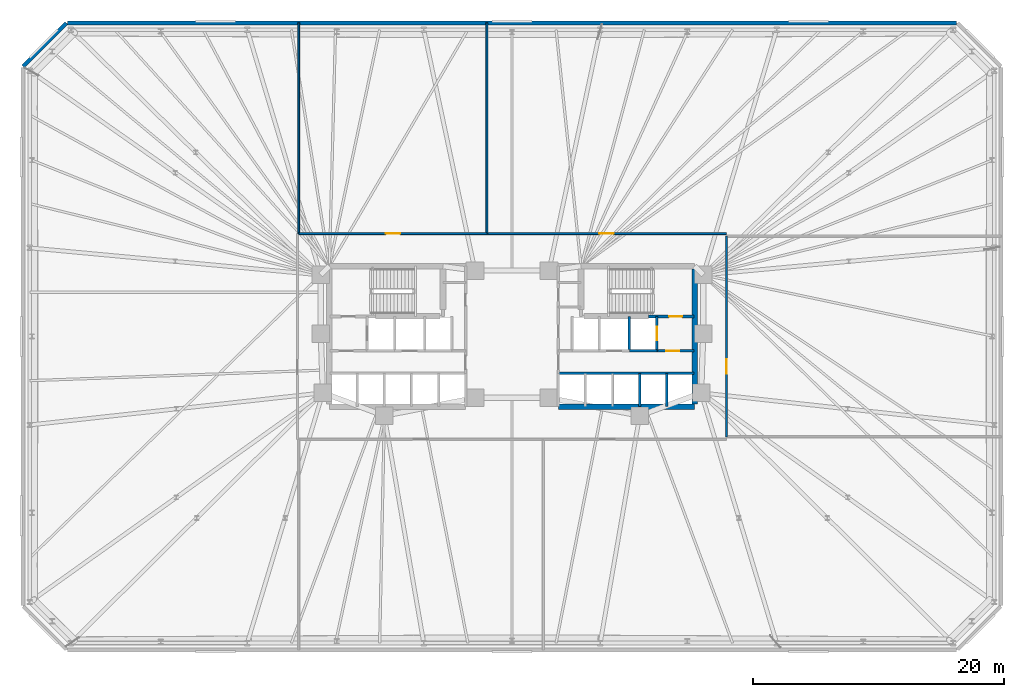
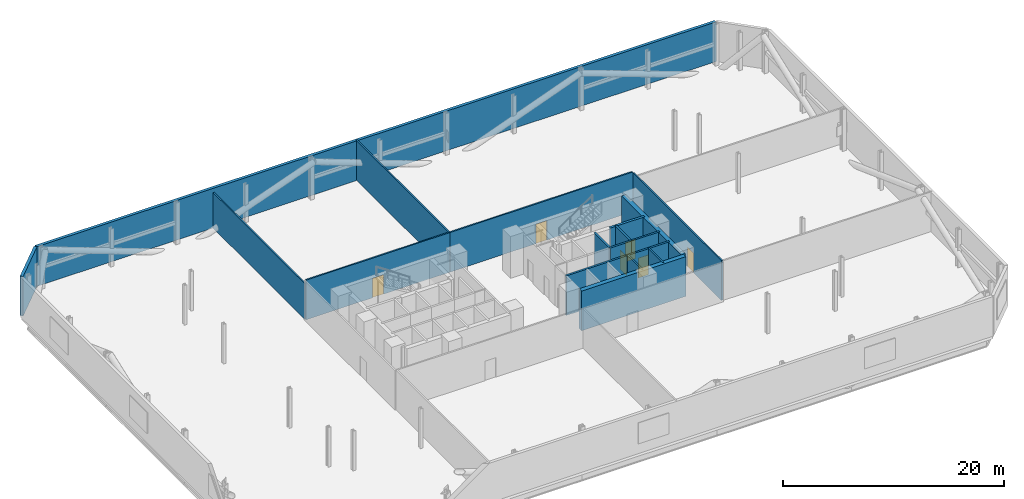
# One storey, part 15 of 17: 17 walls, 6 doors, 6 openings.
"""IFC4 building model written with IfcOpenShell, lengths in metres."""

from ifc_helpers import new_model, si_unit, direction, frame, frame_2d, origin, place, context, subcontext, project, spatial, rectangle, extrude, material, layer, layer_set, type_object, element, fill, save


model = new_model("IFC4")

# Units and contexts
model_context = context("Model", 3, precision=1e-05, world=origin(), true_north=direction((0.0, 1.0)))
body_context = subcontext(model_context, "Body", "Model", "MODEL_VIEW")
ifc_project = project(units=[si_unit("LENGTHUNIT", "METRE"), si_unit("AREAUNIT", "SQUARE_METRE"), si_unit("VOLUMEUNIT", "CUBIC_METRE"), si_unit("PLANEANGLEUNIT", "RADIAN"), si_unit("MASSUNIT", "GRAM", prefix="KILO")], contexts=[model_context])

# Site, building, storey
site_placement = place(None, origin())
site = spatial("IfcSite", under=ifc_project, at=site_placement, CompositionType="ELEMENT")
building_placement = place(site_placement, origin())
building = spatial("IfcBuilding", under=site, at=building_placement, Name="Menara Jurai Vektor", CompositionType="ELEMENT")
storey_placement = place(building_placement, frame((0.0, 0.0, 9.60009765625)))
storey = spatial("IfcBuildingStorey", under=building, at=storey_placement, Name="L01", CompositionType="ELEMENT", Elevation=9.60009765625)

# Walls
ifc_material_1 = material(Name="Insulated Pale Aluminium Spandrel Wall", Category="aluminium")
ifc_layer_1 = layer(ifc_material_1, 0.300048828125)
ifc_layer_set_1 = layer_set([ifc_layer_1], Name="Insulated Pale Aluminium Spandrel Wall")
wall_type_1 = type_object("IfcWallType", Name="ENV-WALL-EXT300", PredefinedType="STANDARD", material=ifc_layer_set_1)
wall_1_placement = place(storey_placement, frame((35.455078125, 25.0, 0.0), z_axis=(0.0, 0.0, 1.0), x_axis=(-1.0, 0.0, 0.0)))
element("IfcWall", 1, at=wall_1_placement, inside=storey, type_object=wall_type_1, Name="Plant Floor Enclosure Wall L01-05", PredefinedType="STANDARD", context=body_context, shape_type="SweptSolid", body=[
    extrude(rectangle(XDim=70.91015625, YDim=0.300048828125, at=frame_2d((35.455078125, 0.0))), origin(), (0.0, 0.0, 1.0), 4.375),
])
wall_2_placement = place(storey_placement, frame((-35.53173828125, 24.96826171875, 0.0), z_axis=(0.0, 0.0, 1.0), x_axis=(-0.707106781187, -0.707106781187, 0.0)))
element("IfcWall", 2, at=wall_2_placement, inside=storey, type_object=wall_type_1, Name="Plant Floor Enclosure Wall L01-06", PredefinedType="STANDARD", context=body_context, shape_type="SweptSolid", body=[
    extrude(rectangle(XDim=4.85986328125, YDim=0.300048828125, at=frame_2d((2.429931640625, 0.0))), origin(), (0.0, 0.0, 1.0), 4.375),
])

# Wall, opening, door
ifc_material_2 = material(Name="Concrete C40/50", Category="concrete")
ifc_layer_2 = layer(ifc_material_2, 0.25)
ifc_layer_set_2 = layer_set([ifc_layer_2], Name="Concrete C40/50")
wall_type_2 = type_object("IfcWallType", Name="INT-WALL-CORE-250", PredefinedType="STANDARD", material=ifc_layer_set_2)
wall_3_placement = place(storey_placement, frame((10.89990234375, 1.60009765625, 0.0), z_axis=(0.0, 0.0, 1.0), x_axis=(1.0, 0.0, 0.0)))
wall_3 = element("IfcWall", 3, at=wall_3_placement, inside=storey, type_object=wall_type_2, Name="Interior Wall IW-250 L01", PredefinedType="STANDARD", context=body_context, shape_type="SweptSolid", body=[
    extrude(rectangle(XDim=3.60009765625, YDim=0.25, at=frame_2d((1.800048828125, 0.0))), origin(), (0.0, 0.0, 1.0), 4.375),
])
opening_1_placement = place(wall_3_placement, frame((1.6201171875, 0.0, 0.0)))
opening_1 = element("IfcOpeningElement", 4, at=opening_1_placement, cuts=wall_3, Name="Opening D-L01-ST2", PredefinedType="OPENING", context=body_context, shape_type="SweptSolid", body=[
    extrude(rectangle(XDim=1.050048828125, YDim=2.14990234375, at=frame_2d((0.52490234375, 1.074951171875))), frame((0.0, 0.135009765625, 0.0), z_axis=(0.0, -1.0, 0.0), x_axis=(1.0, 0.0, 0.0)), (0.0, 0.0, 1.0), 0.27001953125),
])
ifc_material_3 = material(Name="Fire-Rated Steel Door", Category="steel")
door_type_1 = type_object("IfcDoorType", Name="DR-STAIR-1050", OperationType="NOTDEFINED", PredefinedType="DOOR", material=ifc_material_3)
door_1_placement = place(opening_1_placement, origin())
door_1 = element("IfcDoor", 5, at=door_1_placement, inside=storey, type_object=door_type_1, Name="Exit Stair ST2 Door L01", OperationType="SINGLE_SWING_LEFT", OverallHeight=2.14990234375, OverallWidth=1.050048828125, PredefinedType="DOOR", context=body_context, shape_type="SweptSolid", body=[
    extrude(rectangle(XDim=1.050048828125, YDim=2.14990234375, at=frame_2d((0.52490234375, 1.074951171875))), frame((0.0, 0.02490234375, 0.0), z_axis=(0.0, -1.0, 0.0), x_axis=(1.0, 0.0, 0.0)), (0.0, 0.0, 1.0), 0.050048828125),
])
fill(opening_1, door_1)

wall_4_placement = place(storey_placement, frame((11.550048828125, -1.14990234375, 0.0), z_axis=(0.0, 0.0, 1.0), x_axis=(0.0, 1.0, 0.0)))
wall_4 = element("IfcWall", 6, at=wall_4_placement, inside=storey, type_object=wall_type_2, Name="Interior Wall IW-250 L01", PredefinedType="STANDARD", context=body_context, shape_type="SweptSolid", body=[
    extrude(rectangle(XDim=2.75, YDim=0.199951171875, at=frame_2d((1.375, 0.0))), origin(), (0.0, 0.0, 1.0), 4.375),
])
opening_2_placement = place(wall_4_placement, frame((0.824951171875, 0.0, 0.0)))
opening_2 = element("IfcOpeningElement", 7, at=opening_2_placement, cuts=wall_4, Name="Opening LD-L01-FL2", PredefinedType="OPENING", context=body_context, shape_type="SweptSolid", body=[
    extrude(rectangle(XDim=1.10009765625, YDim=2.14990234375, at=frame_2d((0.550048828125, 1.074951171875))), frame((0.0, 0.10986328125, 0.0), z_axis=(0.0, -1.0, 0.0), x_axis=(1.0, 0.0, 0.0)), (0.0, 0.0, 1.0), 0.219970703125),
])
ifc_material_4 = material(Name="Stainless Steel Sliding Lift Landing Door", Category="steel")
door_type_2 = type_object("IfcDoorType", Name="DR-LIFT-FIRE-1100", OperationType="NOTDEFINED", PredefinedType="DOOR", material=ifc_material_4)
door_2_placement = place(opening_2_placement, origin())
door_2 = element("IfcDoor", 8, at=door_2_placement, inside=storey, type_object=door_type_2, Name="Lift Landing Door FL2 L01", OperationType="SLIDING_TO_RIGHT", OverallHeight=2.14990234375, OverallWidth=1.10009765625, PredefinedType="DOOR", context=body_context, shape_type="SweptSolid", body=[
    extrude(rectangle(XDim=1.10009765625, YDim=2.14990234375, at=frame_2d((0.550048828125, 1.074951171875))), frame((0.0, 0.02490234375, 0.0), z_axis=(0.0, -1.0, 0.0), x_axis=(1.0, 0.0, 0.0)), (0.0, 0.0, 1.0), 0.050048828125),
])
fill(opening_2, door_2)

# Wall
wall_5_placement = place(storey_placement, frame((9.35009765625, -1.14990234375, 0.0), z_axis=(0.0, 0.0, 1.0), x_axis=(0.0, 1.0, 0.0)))
element("IfcWall", 9, at=wall_5_placement, inside=storey, type_object=wall_type_2, Name="Interior Wall IW-250 L01", PredefinedType="STANDARD", context=body_context, shape_type="SweptSolid", body=[
    extrude(rectangle(XDim=2.75, YDim=0.199951171875, at=frame_2d((1.375, 0.0))), origin(), (0.0, 0.0, 1.0), 4.375),
])

# Wall, opening, door
wall_6_placement = place(storey_placement, frame((11.550048828125, -1.14990234375, 0.0), z_axis=(0.0, 0.0, 1.0), x_axis=(1.0, 0.0, 0.0)))
wall_6 = element("IfcWall", 10, at=wall_6_placement, inside=storey, type_object=wall_type_2, Name="Interior Wall IW-250 L01", PredefinedType="STANDARD", context=body_context, shape_type="SweptSolid", body=[
    extrude(rectangle(XDim=2.949951171875, YDim=0.199951171875, at=frame_2d((1.47509765625, 0.0))), origin(), (0.0, 0.0, 1.0), 4.375),
])
opening_3_placement = place(wall_6_placement, frame((0.75, 0.0, 0.0)))
opening_3 = element("IfcOpeningElement", 11, at=opening_3_placement, cuts=wall_6, Name="Opening D-L01-FFE", PredefinedType="OPENING", context=body_context, shape_type="SweptSolid", body=[
    extrude(rectangle(XDim=1.050048828125, YDim=2.179931640625, at=frame_2d((0.52490234375, 1.08984375))), frame((0.0, 0.10986328125, 0.0), z_axis=(0.0, -1.0, 0.0), x_axis=(1.0, 0.0, 0.0)), (0.0, 0.0, 1.0), 0.219970703125),
])
ifc_material_5 = material(Name="Fire-Rated Timber Door", Category="wood")
door_type_3 = type_object("IfcDoorType", Name="DR-LOBBY-1050", OperationType="NOTDEFINED", PredefinedType="DOOR", material=ifc_material_5)
door_3_placement = place(opening_3_placement, origin())
door_3 = element("IfcDoor", 12, at=door_3_placement, inside=storey, type_object=door_type_3, Name="Fire Lift Lobby Door E L01", OperationType="SINGLE_SWING_LEFT", OverallHeight=2.179931640625, OverallWidth=1.050048828125, PredefinedType="DOOR", context=body_context, shape_type="SweptSolid", body=[
    extrude(rectangle(XDim=1.050048828125, YDim=2.179931640625, at=frame_2d((0.52490234375, 1.08984375))), frame((0.0, 0.02490234375, 0.0), z_axis=(0.0, -1.0, 0.0), x_axis=(1.0, 0.0, 0.0)), (0.0, 0.0, 1.0), 0.050048828125),
])
fill(opening_3, door_3)

# Wall
wall_7_placement = place(storey_placement, frame((9.35009765625, -1.14990234375, 0.0), z_axis=(0.0, 0.0, 1.0), x_axis=(1.0, 0.0, 0.0)))
element("IfcWall", 13, at=wall_7_placement, inside=storey, type_object=wall_type_2, Name="Interior Wall IW-250 L01", PredefinedType="STANDARD", context=body_context, shape_type="SweptSolid", body=[
    extrude(rectangle(XDim=2.199951171875, YDim=0.199951171875, at=frame_2d((1.10009765625, 0.0))), origin(), (0.0, 0.0, 1.0), 4.375),
])

# Wall, opening, door
ifc_material_6 = material(Name="Gypsum Fireboard Partition", Category="gypsum")
ifc_layer_3 = layer(ifc_material_6, 0.14990234375)
ifc_layer_set_3 = layer_set([ifc_layer_3], Name="Gypsum Fireboard Partition")
wall_type_3 = type_object("IfcWallType", Name="INT-WALL-CORR-150", PredefinedType="PARTITIONING", material=ifc_layer_set_3)
wall_8_placement = place(storey_placement, frame((-17.0, 8.199951171875, 0.0), z_axis=(0.0, 0.0, 1.0), x_axis=(1.0, 0.0, 0.0)))
wall_8 = element("IfcWall", 14, at=wall_8_placement, inside=storey, type_object=wall_type_3, Name="Interior Wall IW-150 L01", PredefinedType="PARTITIONING", context=body_context, shape_type="SweptSolid", body=[
    extrude(rectangle(XDim=15.0, YDim=0.14990234375, at=frame_2d((7.5, 0.0))), origin(), (0.0, 0.0, 1.0), 4.375),
])
opening_4_placement = place(wall_8_placement, frame((6.925048828125, 0.0, 0.0)))
opening_4 = element("IfcOpeningElement", 15, at=opening_4_placement, cuts=wall_8, Name="Opening D01-04", PredefinedType="OPENING", context=body_context, shape_type="SweptSolid", body=[
    extrude(rectangle(XDim=1.14990234375, YDim=2.14990234375, at=frame_2d((0.574951171875, 1.074951171875))), frame((0.0, 0.0849609375, 0.0), z_axis=(0.0, -1.0, 0.0), x_axis=(1.0, 0.0, 0.0)), (0.0, 0.0, 1.0), 0.169921875),
])
ifc_material_7 = material(Name="Fire-Rated Steel Plant Door", Category="steel")
door_type_4 = type_object("IfcDoorType", Name="DR-PLANT-1150", OperationType="NOTDEFINED", PredefinedType="DOOR", material=ifc_material_7)
door_4_placement = place(opening_4_placement, origin())
door_4 = element("IfcDoor", 16, at=door_4_placement, inside=storey, type_object=door_type_4, Name="Interior Door D01-04", OperationType="SINGLE_SWING_LEFT", OverallHeight=2.14990234375, OverallWidth=1.14990234375, PredefinedType="DOOR", context=body_context, shape_type="SweptSolid", body=[
    extrude(rectangle(XDim=1.14990234375, YDim=2.14990234375, at=frame_2d((0.574951171875, 1.074951171875))), frame((0.0, 0.02490234375, 0.0), z_axis=(0.0, -1.0, 0.0), x_axis=(1.0, 0.0, 0.0)), (0.0, 0.0, 1.0), 0.050048828125),
])
fill(opening_4, door_4)

wall_9_placement = place(storey_placement, frame((-2.0, 8.199951171875, 0.0), z_axis=(0.0, 0.0, 1.0), x_axis=(1.0, 0.0, 0.0)))
wall_9 = element("IfcWall", 17, at=wall_9_placement, inside=storey, type_object=wall_type_3, Name="Interior Wall IW-150 L01", PredefinedType="PARTITIONING", context=body_context, shape_type="SweptSolid", body=[
    extrude(rectangle(XDim=19.10009765625, YDim=0.14990234375, at=frame_2d((9.550048828125, 0.0))), origin(), (0.0, 0.0, 1.0), 4.375),
])
opening_5_placement = place(wall_9_placement, frame((8.97509765625, 0.0, 0.0)))
opening_5 = element("IfcOpeningElement", 18, at=opening_5_placement, cuts=wall_9, Name="Opening D01-05", PredefinedType="OPENING", context=body_context, shape_type="SweptSolid", body=[
    extrude(rectangle(XDim=1.14990234375, YDim=2.14990234375, at=frame_2d((0.574951171875, 1.074951171875))), frame((0.0, 0.0849609375, 0.0), z_axis=(0.0, -1.0, 0.0), x_axis=(1.0, 0.0, 0.0)), (0.0, 0.0, 1.0), 0.169921875),
])
door_5_placement = place(opening_5_placement, origin())
door_5 = element("IfcDoor", 19, at=door_5_placement, inside=storey, type_object=door_type_4, Name="Interior Door D01-05", OperationType="SINGLE_SWING_RIGHT", OverallHeight=2.14990234375, OverallWidth=1.14990234375, PredefinedType="DOOR", context=body_context, shape_type="SweptSolid", body=[
    extrude(rectangle(XDim=1.14990234375, YDim=2.14990234375, at=frame_2d((0.574951171875, 1.074951171875))), frame((0.0, 0.02490234375, 0.0), z_axis=(0.0, -1.0, 0.0), x_axis=(1.0, 0.0, 0.0)), (0.0, 0.0, 1.0), 0.050048828125),
])
fill(opening_5, door_5)

wall_10_placement = place(storey_placement, frame((17.10009765625, -8.0, 0.0), z_axis=(0.0, 0.0, 1.0), x_axis=(0.0, 1.0, 0.0)))
wall_10 = element("IfcWall", 20, at=wall_10_placement, inside=storey, type_object=wall_type_3, Name="Interior Wall IW-150 L01", PredefinedType="PARTITIONING", context=body_context, shape_type="SweptSolid", body=[
    extrude(rectangle(XDim=16.0, YDim=0.14990234375, at=frame_2d((8.0, 0.0))), origin(), (0.0, 0.0, 1.0), 4.375),
])
opening_6_placement = place(wall_10_placement, frame((5.02490234375, 0.0, 0.0)))
opening_6 = element("IfcOpeningElement", 21, at=opening_6_placement, cuts=wall_10, Name="Opening D01-09", PredefinedType="OPENING", context=body_context, shape_type="SweptSolid", body=[
    extrude(rectangle(XDim=1.14990234375, YDim=2.14990234375, at=frame_2d((0.574951171875, 1.074951171875))), frame((0.0, 0.0849609375, 0.0), z_axis=(0.0, -1.0, 0.0), x_axis=(1.0, 0.0, 0.0)), (0.0, 0.0, 1.0), 0.169921875),
])
door_6_placement = place(opening_6_placement, origin())
door_6 = element("IfcDoor", 22, at=door_6_placement, inside=storey, type_object=door_type_4, Name="Interior Door D01-09", OperationType="SINGLE_SWING_RIGHT", OverallHeight=2.14990234375, OverallWidth=1.14990234375, PredefinedType="DOOR", context=body_context, shape_type="SweptSolid", body=[
    extrude(rectangle(XDim=1.14990234375, YDim=2.14990234375, at=frame_2d((0.574951171875, 1.074951171875))), frame((0.0, 0.02490234375, 0.0), z_axis=(0.0, -1.0, 0.0), x_axis=(1.0, 0.0, 0.0)), (0.0, 0.0, 1.0), 0.050048828125),
])
fill(opening_6, door_6)

# Walls
wall_11_placement = place(storey_placement, frame((-2.0, 8.199951171875, 0.0), z_axis=(0.0, 0.0, 1.0), x_axis=(0.0, 1.0, 0.0)))
element("IfcWall", 23, at=wall_11_placement, inside=storey, type_object=wall_type_3, Name="Interior Wall IW-150 L01", PredefinedType="PARTITIONING", context=body_context, shape_type="SweptSolid", body=[
    extrude(rectangle(XDim=16.800048828125, YDim=0.14990234375, at=frame_2d((8.39990234375, 0.0))), origin(), (0.0, 0.0, 1.0), 4.375),
])
ifc_layer_4 = layer(ifc_material_6, 0.14990234375)
ifc_layer_set_4 = layer_set([ifc_layer_4], Name="Gypsum Fireboard Partition")
wall_type_4 = type_object("IfcWallType", Name="INT-WALL-CORR-150-H1", PredefinedType="PARTITIONING", material=ifc_layer_set_4)
wall_12_placement = place(storey_placement, frame((-17.0, 8.199951171875, 0.0), z_axis=(0.0, 0.0, 1.0), x_axis=(0.0, 1.0, 0.0)))
element("IfcWall", 24, at=wall_12_placement, inside=storey, type_object=wall_type_4, Name="Interior Wall IW-150 L01", PredefinedType="PARTITIONING", context=body_context, shape_type="SweptSolid", body=[
    extrude(rectangle(XDim=16.800048828125, YDim=0.14990234375, at=frame_2d((8.39990234375, 0.0))), origin(), (0.0, 0.0, 1.0), 3.9248046875),
])
ifc_layer_5 = layer(ifc_material_2, 0.199951171875)
ifc_layer_set_5 = layer_set([ifc_layer_5], Name="Concrete C40/50")
wall_type_5 = type_object("IfcWallType", Name="INT-WALL-SHAFT-200", PredefinedType="STANDARD", material=ifc_layer_set_5)
wall_13_placement = place(storey_placement, frame((3.699951171875, -2.949951171875, 0.0), z_axis=(0.0, 0.0, 1.0), x_axis=(1.0, 0.0, 0.0)))
element("IfcWall", 25, at=wall_13_placement, inside=storey, type_object=wall_type_5, Name="Interior Wall IW-200 L01", PredefinedType="STANDARD", context=body_context, shape_type="SweptSolid", body=[
    extrude(rectangle(XDim=10.800048828125, YDim=0.199951171875, at=frame_2d((5.39990234375, 0.0))), origin(), (0.0, 0.0, 1.0), 4.375),
])
for number, where, z_axis, x_axis, name in (
    (26, (12.340087890625, -5.60009765625, 0.0), (0.0, 0.0, 1.0), (0.0, 1.0, 0.0), "Interior Wall IW-200 L01"),
    (27, (10.179931640625, -5.60009765625, 0.0), (0.0, 0.0, 1.0), (0.0, 1.0, 0.0), "Interior Wall IW-200 L01"),
):
    element("IfcWall", number, at=place(storey_placement, frame(where, z_axis=z_axis, x_axis=x_axis)), inside=storey, type_object=wall_type_5, Name=name, PredefinedType="STANDARD", context=body_context, shape_type="SweptSolid", body=[
        extrude(rectangle(XDim=2.650146484375, YDim=0.179931640625, at=frame_2d((1.3251953125, 0.0))), origin(), (0.0, 0.0, 1.0), 4.375),
    ])
ifc_material_8 = material(Name="Concrete C60/75", Category="concrete")
ifc_layer_6 = layer(ifc_material_8, 0.449951171875)
ifc_layer_set_6 = layer_set([ifc_layer_6], Name="Concrete C60/75")
wall_type_6 = type_object("IfcWallType", Name="STR-WALL-CORE450", PredefinedType="SHEAR", material=ifc_layer_set_6)
wall_14_placement = place(storey_placement, frame((3.699951171875, -5.60009765625, 0.0), z_axis=(0.0, 0.0, 1.0), x_axis=(1.0, 0.0, 0.0)))
element("IfcWall", 28, at=wall_14_placement, inside=storey, type_object=wall_type_6, Name="Core Shear Wall CW-E-S L01", PredefinedType="SHEAR", context=body_context, shape_type="SweptSolid", body=[
    extrude(rectangle(XDim=10.860107421875, YDim=0.449951171875, at=frame_2d((5.43017578125, 0.0))), origin(), (0.0, 0.0, 1.0), 4.375),
])
wall_15_placement = place(storey_placement, frame((14.56005859375, -5.375, 0.0), z_axis=(0.0, 0.0, 1.0), x_axis=(0.0, 1.0, 0.0)))
element("IfcWall", 29, at=wall_15_placement, inside=storey, type_object=wall_type_6, Name="Core Shear Wall CW-E-E L01", PredefinedType="SHEAR", context=body_context, shape_type="SweptSolid", body=[
    extrude(rectangle(XDim=10.75, YDim=0.449951171875, at=frame_2d((5.375, 0.0))), origin(), (0.0, 0.0, 1.0), 4.375),
])

save(model, "model.ifc")
